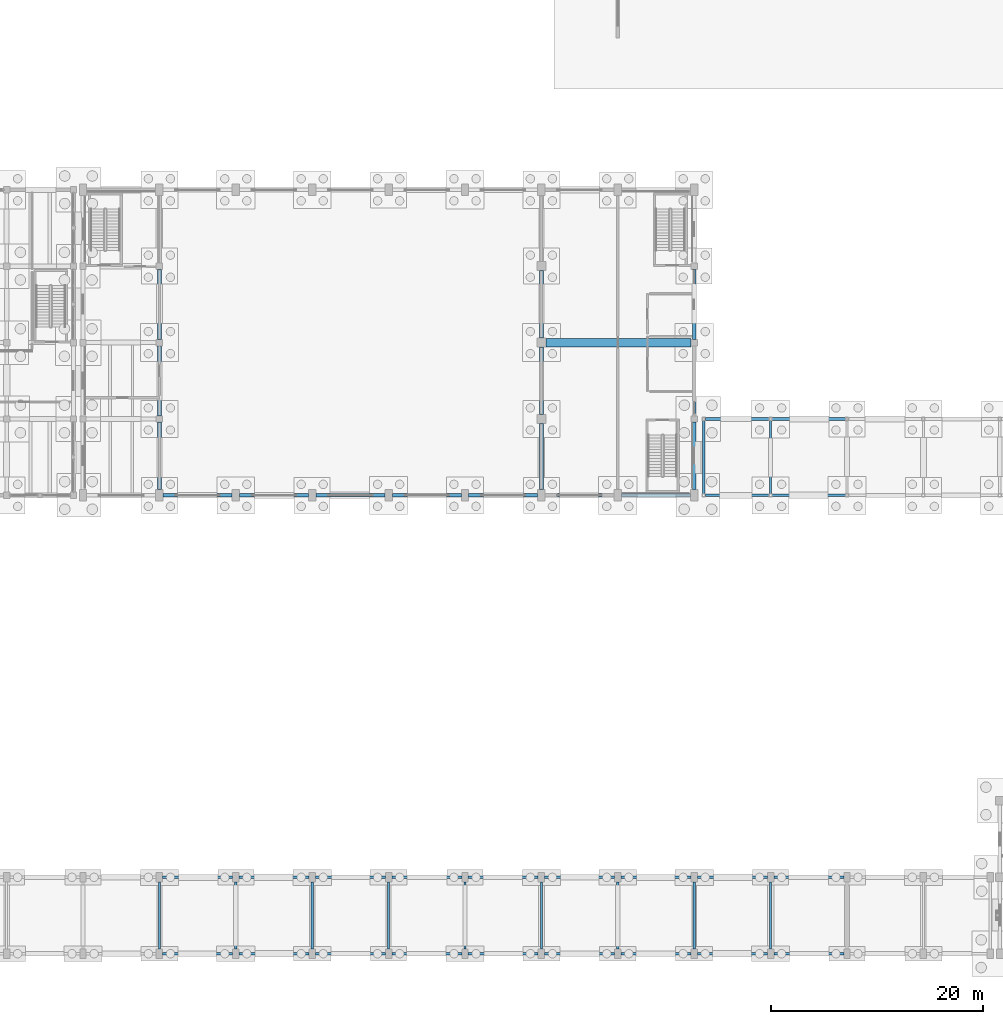
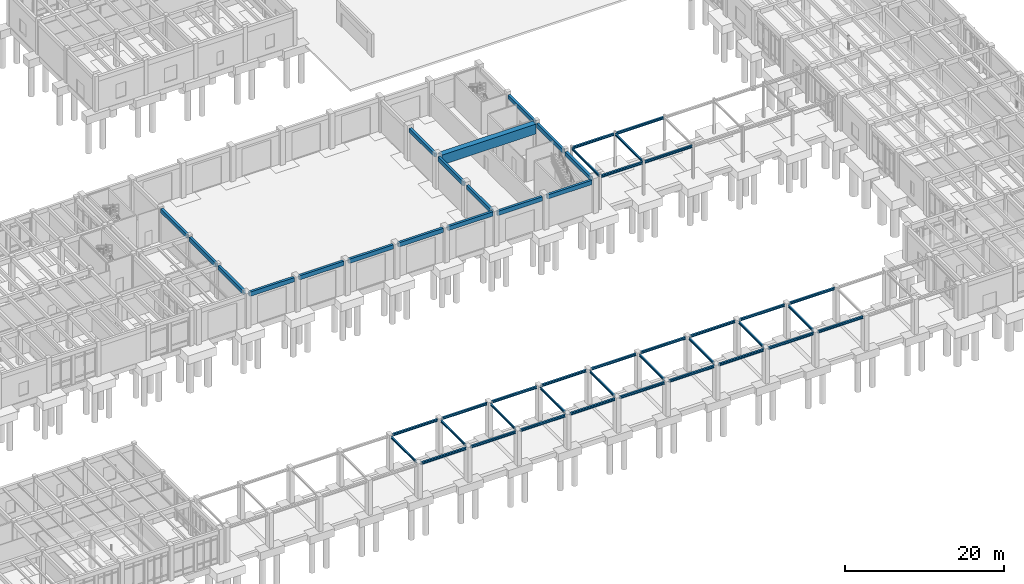
# One storey, part 26 of 93: 50 beams.
"""IFC4 building model written with IfcOpenShell, lengths in metres."""

from ifc_helpers import new_model, si_unit, direction, frame, origin, origin_2d, place, context, subcontext, project, spatial, rectangle, i_section, extrude, material, material_profile, profile_set, type_object, element, save


model = new_model("IFC4")

# Units and contexts
model_context = context("Model", 3, precision=1e-05, world=origin(), true_north=direction((0.0, 1.0)))
body_context = subcontext(model_context, "Body", "Model", "MODEL_VIEW")
ifc_project = project(units=[si_unit("LENGTHUNIT", "METRE"), si_unit("AREAUNIT", "SQUARE_METRE"), si_unit("VOLUMEUNIT", "CUBIC_METRE"), si_unit("PLANEANGLEUNIT", "RADIAN"), si_unit("MASSUNIT", "GRAM", prefix="KILO")], contexts=[model_context])

# Site, building, storey
site_placement = place(None, origin())
site = spatial("IfcSite", under=ifc_project, at=site_placement, CompositionType="ELEMENT")
building_placement = place(site_placement, origin())
building = spatial("IfcBuilding", under=site, at=building_placement, Name="Koriwan Promenade Central Fire Station", CompositionType="ELEMENT")
storey_placement = place(building_placement, origin())
storey = spatial("IfcBuildingStorey", under=building, at=storey_placement, Name="L00", CompositionType="ELEMENT", Elevation=0.0)

# Beams
ifc_material_1 = material(Name="Concrete C35/45", Category="concrete")
ifc_material_profile_1 = material_profile(ifc_material_1, rectangle(XDim=0.35009765625, YDim=0.60009765625, at=origin_2d()), Name="RC-BM-350x600")
ifc_profile_set_1 = profile_set([ifc_material_profile_1], Name="Concrete C35/45")
beam_type_1 = type_object("IfcBeamType", Name="Beam_RC-BM-350x600", PredefinedType="BEAM", material=ifc_profile_set_1)
beam_1_placement = place(storey_placement, frame((64.800048828125, 43.75, 4.85009765625), z_axis=(0.0, 1.0, 0.0), x_axis=(-1.0, 0.0, 0.0)))
element("IfcBeam", 1, at=beam_1_placement, inside=storey, type_object=beam_type_1, Name="V1 L00 girder Y-24", PredefinedType="BEAM", context=body_context, shape_type="SweptSolid", body=[
    extrude(rectangle(XDim=0.35009765625, YDim=0.60009765625, at=origin_2d()), origin(), (0.0, 0.0, 1.0), 6.35009765625),
])
beam_2_placement = place(storey_placement, frame((64.800048828125, 57.89990234375, 4.85009765625), z_axis=(0.0, 1.0, 0.0), x_axis=(-1.0, 0.0, 0.0)))
element("IfcBeam", 2, at=beam_2_placement, inside=storey, type_object=beam_type_1, Name="V1 L00 girder Y-26", PredefinedType="BEAM", context=body_context, shape_type="SweptSolid", body=[
    extrude(rectangle(XDim=0.35009765625, YDim=0.60009765625, at=origin_2d()), origin(), (0.0, 0.0, 1.0), 6.60009765625),
])
beam_3_placement = place(storey_placement, frame((100.800048828125, 43.75, 4.64990234375), z_axis=(0.0, 1.0, 0.0), x_axis=(-1.0, 0.0, 0.0)))
element("IfcBeam", 3, at=beam_3_placement, inside=storey, type_object=beam_type_1, Name="V1 L00 girder Y-28", PredefinedType="BEAM", context=body_context, shape_type="SweptSolid", body=[
    extrude(rectangle(XDim=0.35009765625, YDim=0.60009765625, at=origin_2d()), origin(), (0.0, 0.0, 1.0), 6.22509765625),
])
for number, where, z_axis, x_axis, name in (
    (4, (100.800048828125, 58.02490234375, 4.64990234375), (0.0, 1.0, 0.0), (-1.0, 0.0, 0.0), "V1 L00 girder Y-30"),
    (5, (115.199951171875, 43.75, 4.64990234375), (0.0, 1.0, 0.0), (-1.0, 0.0, 0.0), "V1 L00 girder Y-32"),
):
    element("IfcBeam", number, at=place(storey_placement, frame(where, z_axis=z_axis, x_axis=x_axis)), inside=storey, type_object=beam_type_1, Name=name, PredefinedType="BEAM", context=body_context, shape_type="SweptSolid", body=[
        extrude(rectangle(XDim=0.35009765625, YDim=0.60009765625, at=origin_2d()), origin(), (0.0, 0.0, 1.0), 6.35009765625),
    ])
beam_4_placement = place(storey_placement, frame((115.199951171875, 57.89990234375, 4.64990234375), z_axis=(0.0, 1.0, 0.0), x_axis=(-1.0, 0.0, 0.0)))
element("IfcBeam", 6, at=beam_4_placement, inside=storey, type_object=beam_type_1, Name="V1 L00 girder Y-34", PredefinedType="BEAM", context=body_context, shape_type="SweptSolid", body=[
    extrude(rectangle(XDim=0.35009765625, YDim=0.60009765625, at=origin_2d()), origin(), (0.0, 0.0, 1.0), 6.60009765625),
])
ifc_material_profile_2 = material_profile(ifc_material_1, rectangle(XDim=0.35009765625, YDim=0.64990234375, at=origin_2d()), Name="RC-BM-350x650")
ifc_profile_set_2 = profile_set([ifc_material_profile_2], Name="Concrete C35/45")
beam_type_2 = type_object("IfcBeamType", Name="Beam_RC-BM-350x650", PredefinedType="BEAM", material=ifc_profile_set_2)
beam_5_placement = place(storey_placement, frame((64.800048828125, 50.699951171875, 4.824951171875), z_axis=(0.0, 1.0, 0.0), x_axis=(-1.0, 0.0, 0.0)))
element("IfcBeam", 7, at=beam_5_placement, inside=storey, type_object=beam_type_2, Name="V1 L00 girder Y-25", PredefinedType="BEAM", context=body_context, shape_type="SweptSolid", body=[
    extrude(rectangle(XDim=0.35009765625, YDim=0.64990234375, at=origin_2d()), origin(), (0.0, 0.0, 1.0), 6.60009765625),
])
beam_6_placement = place(storey_placement, frame((100.800048828125, 50.824951171875, 4.625), z_axis=(0.0, 1.0, 0.0), x_axis=(-1.0, 0.0, 0.0)))
element("IfcBeam", 8, at=beam_6_placement, inside=storey, type_object=beam_type_2, Name="V1 L00 girder Y-29", PredefinedType="BEAM", context=body_context, shape_type="SweptSolid", body=[
    extrude(rectangle(XDim=0.35009765625, YDim=0.64990234375, at=origin_2d()), origin(), (0.0, 0.0, 1.0), 6.35009765625),
])
beam_7_placement = place(storey_placement, frame((115.199951171875, 50.699951171875, 4.625), z_axis=(0.0, 1.0, 0.0), x_axis=(-1.0, 0.0, 0.0)))
element("IfcBeam", 9, at=beam_7_placement, inside=storey, type_object=beam_type_2, Name="V1 L00 girder Y-33", PredefinedType="BEAM", context=body_context, shape_type="SweptSolid", body=[
    extrude(rectangle(XDim=0.35009765625, YDim=0.64990234375, at=origin_2d()), origin(), (0.0, 0.0, 1.0), 6.60009765625),
])
ifc_material_profile_3 = material_profile(ifc_material_1, rectangle(XDim=0.35009765625, YDim=0.64990234375, at=origin_2d()), Name="RC-SP-350x650")
ifc_profile_set_3 = profile_set([ifc_material_profile_3], Name="Concrete C35/45")
beam_type_3 = type_object("IfcBeamType", Name="Beam_RC-SP-350x650", PredefinedType="SPANDREL", material=ifc_profile_set_3)
for number, where, z_axis, x_axis, name in (
    (10, (65.14990234375, 43.199951171875, 4.824951171875), (1.0, 0.0, 0.0), (0.0, 1.0, 0.0), "V1 L00 girder X-2"),
    (11, (72.35009765625, 43.199951171875, 4.824951171875), (1.0, 0.0, 0.0), (0.0, 1.0, 0.0), "V1 L00 girder X-3"),
    (12, (79.550048828125, 43.199951171875, 4.824951171875), (1.0, 0.0, 0.0), (0.0, 1.0, 0.0), "V1 L00 girder X-4"),
    (13, (86.75, 43.199951171875, 4.824951171875), (1.0, 0.0, 0.0), (0.0, 1.0, 0.0), "V1 L00 girder X-5"),
    (14, (93.949951171875, 43.199951171875, 4.824951171875), (1.0, 0.0, 0.0), (0.0, 1.0, 0.0), "V1 L00 girder X-6"),
    (15, (101.14990234375, 43.199951171875, 4.625), (1.0, 0.0, 0.0), (0.0, 1.0, 0.0), "V1 L00 girder X-7"),
    (16, (108.35009765625, 43.199951171875, 4.625), (1.0, 0.0, 0.0), (0.0, 1.0, 0.0), "V1 L00 girder X-8"),
):
    element("IfcBeam", number, at=place(storey_placement, frame(where, z_axis=z_axis, x_axis=x_axis)), inside=storey, type_object=beam_type_3, Name=name, PredefinedType="SPANDREL", context=body_context, shape_type="SweptSolid", body=[
        extrude(rectangle(XDim=0.35009765625, YDim=0.64990234375, at=origin_2d()), origin(), (0.0, 0.0, 1.0), 6.5),
    ])
ifc_material_2 = material(Name="Concrete C40/50", Category="concrete")
ifc_material_profile_4 = material_profile(ifc_material_2, rectangle(XDim=0.800048828125, YDim=1.5, at=origin_2d()), Name="RC-TG-800x1500")
ifc_profile_set_4 = profile_set([ifc_material_profile_4], Name="Concrete C40/50")
beam_type_4 = type_object("IfcBeamType", Name="Beam_RC-TG-800x1500", PredefinedType="USERDEFINED", material=ifc_profile_set_4)
beam_8_placement = place(storey_placement, frame((101.22509765625, 57.60009765625, 4.199951171875), z_axis=(1.0, 0.0, 0.0), x_axis=(0.0, 1.0, 0.0)))
element("IfcBeam", 17, at=beam_8_placement, inside=storey, type_object=beam_type_4, Name="V1 L00 girder X-11", ObjectType="TRANSFER GIRDER", PredefinedType="USERDEFINED", context=body_context, shape_type="SweptSolid", body=[
    extrude(rectangle(XDim=0.800048828125, YDim=1.5, at=origin_2d()), origin(), (0.0, 0.0, 1.0), 13.6748046875),
])
ifc_material_3 = material(Name="Steel ASTM A992 Grade 50", Category="steel")
ifc_material_profile_5 = material_profile(ifc_material_3, i_section(OverallWidth=0.202880859375, OverallDepth=0.302978515625, WebThickness=0.007568359375, FlangeThickness=0.01318359375, FilletRadius=0.014892578125, at=origin_2d()), Name="W310x60")
ifc_profile_set_5 = profile_set([ifc_material_profile_5], Name="Steel ASTM A992 Grade 50")
beam_type_5 = type_object("IfcBeamType", Name="SteelBeam_W310x60", PredefinedType="JOIST", material=ifc_profile_set_5)
for number, where, z_axis, x_axis, name in (
    (18, (64.800048828125, 0.449951171875, 5.048095703125), (0.0, 1.0, 0.0), (-1.0, 0.0, 0.0), "COL_SOUTH arcade cross beam 1103"),
    (19, (72.0, 0.449951171875, 5.048095703125), (0.0, 1.0, 0.0), (-1.0, 0.0, 0.0), "COL_SOUTH arcade cross beam 1104"),
    (20, (79.199951171875, 0.449951171875, 5.048095703125), (0.0, 1.0, 0.0), (-1.0, 0.0, 0.0), "COL_SOUTH arcade cross beam 1105"),
    (21, (86.39990234375, 0.449951171875, 5.048095703125), (0.0, 1.0, 0.0), (-1.0, 0.0, 0.0), "COL_SOUTH arcade cross beam 1106"),
    (22, (93.60009765625, 0.449951171875, 5.048095703125), (0.0, 1.0, 0.0), (-1.0, 0.0, 0.0), "COL_SOUTH arcade cross beam 1107"),
    (23, (100.800048828125, 0.449951171875, 5.048095703125), (0.0, 1.0, 0.0), (-1.0, 0.0, 0.0), "COL_SOUTH arcade cross beam 1108"),
    (24, (108.0, 0.449951171875, 5.048095703125), (0.0, 1.0, 0.0), (-1.0, 0.0, 0.0), "COL_SOUTH arcade cross beam 1109"),
    (25, (115.199951171875, 0.449951171875, 5.048095703125), (0.0, 1.0, 0.0), (-1.0, 0.0, 0.0), "COL_SOUTH arcade cross beam 1110"),
    (26, (122.39990234375, 0.449951171875, 5.048095703125), (0.0, 1.0, 0.0), (-1.0, 0.0, 0.0), "COL_SOUTH arcade cross beam 1111"),
):
    element("IfcBeam", number, at=place(storey_placement, frame(where, z_axis=z_axis, x_axis=x_axis)), inside=storey, type_object=beam_type_5, Name=name, PredefinedType="JOIST", context=body_context, shape_type="SweptSolid", body=[
        extrude(i_section(OverallWidth=0.202880859375, OverallDepth=0.302978515625, WebThickness=0.007568359375, FlangeThickness=0.01318359375, FilletRadius=0.014892578125, at=origin_2d()), origin(), (0.0, 0.0, 1.0), 6.300048828125),
    ])
for number, where, z_axis, x_axis, name in (
    (27, (116.10009765625, 43.35009765625, 4.998046875), (0.0, 1.0, 0.0), (-1.0, 0.0, 0.0), "COL_CHARBAGH arcade cross beam 1135"),
    (28, (122.39990234375, 43.35009765625, 4.998046875), (0.0, 1.0, 0.0), (-1.0, 0.0, 0.0), "COL_CHARBAGH arcade cross beam 1137"),
):
    element("IfcBeam", number, at=place(storey_placement, frame(where, z_axis=z_axis, x_axis=x_axis)), inside=storey, type_object=beam_type_5, Name=name, PredefinedType="JOIST", context=body_context, shape_type="SweptSolid", body=[
        extrude(i_section(OverallWidth=0.202880859375, OverallDepth=0.302978515625, WebThickness=0.007568359375, FlangeThickness=0.01318359375, FilletRadius=0.014892578125, at=origin_2d()), origin(), (0.0, 0.0, 1.0), 6.89990234375),
    ])
ifc_material_profile_6 = material_profile(ifc_material_3, i_section(OverallWidth=0.25390625, OverallDepth=0.35302734375, WebThickness=0.009521484375, FlangeThickness=0.016357421875, FilletRadius=0.014892578125, at=origin_2d()), Name="W360x91")
ifc_profile_set_6 = profile_set([ifc_material_profile_6], Name="Steel ASTM A992 Grade 50")
beam_type_6 = type_object("IfcBeamType", Name="SteelBeam_W360x91", PredefinedType="BEAM", material=ifc_profile_set_6)
for number, where, z_axis, x_axis, name in (
    (29, (65.10009765625, 0.0, 5.02294921875), (1.0, 0.0, 0.0), (0.0, 1.0, 0.0), "COL_SOUTH arcade beam 1073"),
    (30, (72.300048828125, 0.0, 5.02294921875), (1.0, 0.0, 0.0), (0.0, 1.0, 0.0), "COL_SOUTH arcade beam 1074"),
):
    element("IfcBeam", number, at=place(storey_placement, frame(where, z_axis=z_axis, x_axis=x_axis)), inside=storey, type_object=beam_type_6, Name=name, PredefinedType="BEAM", context=body_context, shape_type="SweptSolid", body=[
        extrude(i_section(OverallWidth=0.25390625, OverallDepth=0.35302734375, WebThickness=0.009521484375, FlangeThickness=0.016357421875, FilletRadius=0.014892578125, at=origin_2d()), origin(), (0.0, 0.0, 1.0), 6.599853515625),
    ])
for number, where, z_axis, x_axis, name in (
    (31, (79.5, 0.0, 5.02294921875), (1.0, 0.0, 0.0), (0.0, 1.0, 0.0), "COL_SOUTH arcade beam 1075"),
    (32, (86.699951171875, 0.0, 5.02294921875), (1.0, 0.0, 0.0), (0.0, 1.0, 0.0), "COL_SOUTH arcade beam 1076"),
    (33, (93.89990234375, 0.0, 5.02294921875), (1.0, 0.0, 0.0), (0.0, 1.0, 0.0), "COL_SOUTH arcade beam 1077"),
):
    element("IfcBeam", number, at=place(storey_placement, frame(where, z_axis=z_axis, x_axis=x_axis)), inside=storey, type_object=beam_type_6, Name=name, PredefinedType="BEAM", context=body_context, shape_type="SweptSolid", body=[
        extrude(i_section(OverallWidth=0.25390625, OverallDepth=0.35302734375, WebThickness=0.009521484375, FlangeThickness=0.016357421875, FilletRadius=0.014892578125, at=origin_2d()), origin(), (0.0, 0.0, 1.0), 6.60009765625),
    ])
for number, where, z_axis, x_axis, name in (
    (34, (101.10009765625, 0.0, 5.02294921875), (1.0, 0.0, 0.0), (0.0, 1.0, 0.0), "COL_SOUTH arcade beam 1078"),
    (35, (108.300048828125, 0.0, 5.02294921875), (1.0, 0.0, 0.0), (0.0, 1.0, 0.0), "COL_SOUTH arcade beam 1079"),
):
    element("IfcBeam", number, at=place(storey_placement, frame(where, z_axis=z_axis, x_axis=x_axis)), inside=storey, type_object=beam_type_6, Name=name, PredefinedType="BEAM", context=body_context, shape_type="SweptSolid", body=[
        extrude(i_section(OverallWidth=0.25390625, OverallDepth=0.35302734375, WebThickness=0.009521484375, FlangeThickness=0.016357421875, FilletRadius=0.014892578125, at=origin_2d()), origin(), (0.0, 0.0, 1.0), 6.599853515625),
    ])
for number, where, z_axis, x_axis, name in (
    (36, (115.5, 0.0, 5.02294921875), (1.0, 0.0, 0.0), (0.0, 1.0, 0.0), "COL_SOUTH arcade beam 1080"),
    (37, (122.699951171875, 0.0, 5.02294921875), (1.0, 0.0, 0.0), (0.0, 1.0, 0.0), "COL_SOUTH arcade beam 1081"),
):
    element("IfcBeam", number, at=place(storey_placement, frame(where, z_axis=z_axis, x_axis=x_axis)), inside=storey, type_object=beam_type_6, Name=name, PredefinedType="BEAM", context=body_context, shape_type="SweptSolid", body=[
        extrude(i_section(OverallWidth=0.25390625, OverallDepth=0.35302734375, WebThickness=0.009521484375, FlangeThickness=0.016357421875, FilletRadius=0.014892578125, at=origin_2d()), origin(), (0.0, 0.0, 1.0), 6.60009765625),
    ])
for number, where, z_axis, x_axis, name in (
    (38, (65.10009765625, 7.199951171875, 5.02294921875), (1.0, 0.0, 0.0), (0.0, 1.0, 0.0), "COL_SOUTH arcade beam 1088"),
    (39, (72.300048828125, 7.199951171875, 5.02294921875), (1.0, 0.0, 0.0), (0.0, 1.0, 0.0), "COL_SOUTH arcade beam 1089"),
):
    element("IfcBeam", number, at=place(storey_placement, frame(where, z_axis=z_axis, x_axis=x_axis)), inside=storey, type_object=beam_type_6, Name=name, PredefinedType="BEAM", context=body_context, shape_type="SweptSolid", body=[
        extrude(i_section(OverallWidth=0.25390625, OverallDepth=0.35302734375, WebThickness=0.009521484375, FlangeThickness=0.016357421875, FilletRadius=0.014892578125, at=origin_2d()), origin(), (0.0, 0.0, 1.0), 6.599853515625),
    ])
for number, where, z_axis, x_axis, name in (
    (40, (79.5, 7.199951171875, 5.02294921875), (1.0, 0.0, 0.0), (0.0, 1.0, 0.0), "COL_SOUTH arcade beam 1090"),
    (41, (86.699951171875, 7.199951171875, 5.02294921875), (1.0, 0.0, 0.0), (0.0, 1.0, 0.0), "COL_SOUTH arcade beam 1091"),
    (42, (93.89990234375, 7.199951171875, 5.02294921875), (1.0, 0.0, 0.0), (0.0, 1.0, 0.0), "COL_SOUTH arcade beam 1092"),
):
    element("IfcBeam", number, at=place(storey_placement, frame(where, z_axis=z_axis, x_axis=x_axis)), inside=storey, type_object=beam_type_6, Name=name, PredefinedType="BEAM", context=body_context, shape_type="SweptSolid", body=[
        extrude(i_section(OverallWidth=0.25390625, OverallDepth=0.35302734375, WebThickness=0.009521484375, FlangeThickness=0.016357421875, FilletRadius=0.014892578125, at=origin_2d()), origin(), (0.0, 0.0, 1.0), 6.60009765625),
    ])
for number, where, z_axis, x_axis, name in (
    (43, (101.10009765625, 7.199951171875, 5.02294921875), (1.0, 0.0, 0.0), (0.0, 1.0, 0.0), "COL_SOUTH arcade beam 1093"),
    (44, (108.300048828125, 7.199951171875, 5.02294921875), (1.0, 0.0, 0.0), (0.0, 1.0, 0.0), "COL_SOUTH arcade beam 1094"),
):
    element("IfcBeam", number, at=place(storey_placement, frame(where, z_axis=z_axis, x_axis=x_axis)), inside=storey, type_object=beam_type_6, Name=name, PredefinedType="BEAM", context=body_context, shape_type="SweptSolid", body=[
        extrude(i_section(OverallWidth=0.25390625, OverallDepth=0.35302734375, WebThickness=0.009521484375, FlangeThickness=0.016357421875, FilletRadius=0.014892578125, at=origin_2d()), origin(), (0.0, 0.0, 1.0), 6.599853515625),
    ])
for number, where, z_axis, x_axis, name in (
    (45, (115.5, 7.199951171875, 5.02294921875), (1.0, 0.0, 0.0), (0.0, 1.0, 0.0), "COL_SOUTH arcade beam 1095"),
    (46, (122.699951171875, 7.199951171875, 5.02294921875), (1.0, 0.0, 0.0), (0.0, 1.0, 0.0), "COL_SOUTH arcade beam 1096"),
):
    element("IfcBeam", number, at=place(storey_placement, frame(where, z_axis=z_axis, x_axis=x_axis)), inside=storey, type_object=beam_type_6, Name=name, PredefinedType="BEAM", context=body_context, shape_type="SweptSolid", body=[
        extrude(i_section(OverallWidth=0.25390625, OverallDepth=0.35302734375, WebThickness=0.009521484375, FlangeThickness=0.016357421875, FilletRadius=0.014892578125, at=origin_2d()), origin(), (0.0, 0.0, 1.0), 6.60009765625),
    ])
beam_9_placement = place(storey_placement, frame((116.25, 43.199951171875, 4.972900390625), z_axis=(1.0, 0.0, 0.0), x_axis=(0.0, 1.0, 0.0)))
element("IfcBeam", 47, at=beam_9_placement, inside=storey, type_object=beam_type_6, Name="COL_CHARBAGH arcade beam 1115", PredefinedType="BEAM", context=body_context, shape_type="SweptSolid", body=[
    extrude(i_section(OverallWidth=0.25390625, OverallDepth=0.35302734375, WebThickness=0.009521484375, FlangeThickness=0.016357421875, FilletRadius=0.014892578125, at=origin_2d()), origin(), (0.0, 0.0, 1.0), 6.0),
])
beam_10_placement = place(storey_placement, frame((122.550048828125, 43.199951171875, 4.972900390625), z_axis=(1.0, 0.0, 0.0), x_axis=(0.0, 1.0, 0.0)))
element("IfcBeam", 48, at=beam_10_placement, inside=storey, type_object=beam_type_6, Name="COL_CHARBAGH arcade beam 1117", PredefinedType="BEAM", context=body_context, shape_type="SweptSolid", body=[
    extrude(i_section(OverallWidth=0.25390625, OverallDepth=0.35302734375, WebThickness=0.009521484375, FlangeThickness=0.016357421875, FilletRadius=0.014892578125, at=origin_2d()), origin(), (0.0, 0.0, 1.0), 6.89990234375),
])
beam_11_placement = place(storey_placement, frame((116.25, 50.39990234375, 4.972900390625), z_axis=(1.0, 0.0, 0.0), x_axis=(0.0, 1.0, 0.0)))
element("IfcBeam", 49, at=beam_11_placement, inside=storey, type_object=beam_type_6, Name="COL_CHARBAGH arcade beam 1125", PredefinedType="BEAM", context=body_context, shape_type="SweptSolid", body=[
    extrude(i_section(OverallWidth=0.25390625, OverallDepth=0.35302734375, WebThickness=0.009521484375, FlangeThickness=0.016357421875, FilletRadius=0.014892578125, at=origin_2d()), origin(), (0.0, 0.0, 1.0), 6.0),
])
beam_12_placement = place(storey_placement, frame((122.550048828125, 50.39990234375, 4.972900390625), z_axis=(1.0, 0.0, 0.0), x_axis=(0.0, 1.0, 0.0)))
element("IfcBeam", 50, at=beam_12_placement, inside=storey, type_object=beam_type_6, Name="COL_CHARBAGH arcade beam 1127", PredefinedType="BEAM", context=body_context, shape_type="SweptSolid", body=[
    extrude(i_section(OverallWidth=0.25390625, OverallDepth=0.35302734375, WebThickness=0.009521484375, FlangeThickness=0.016357421875, FilletRadius=0.014892578125, at=origin_2d()), origin(), (0.0, 0.0, 1.0), 6.89990234375),
])

save(model, "model.ifc")
